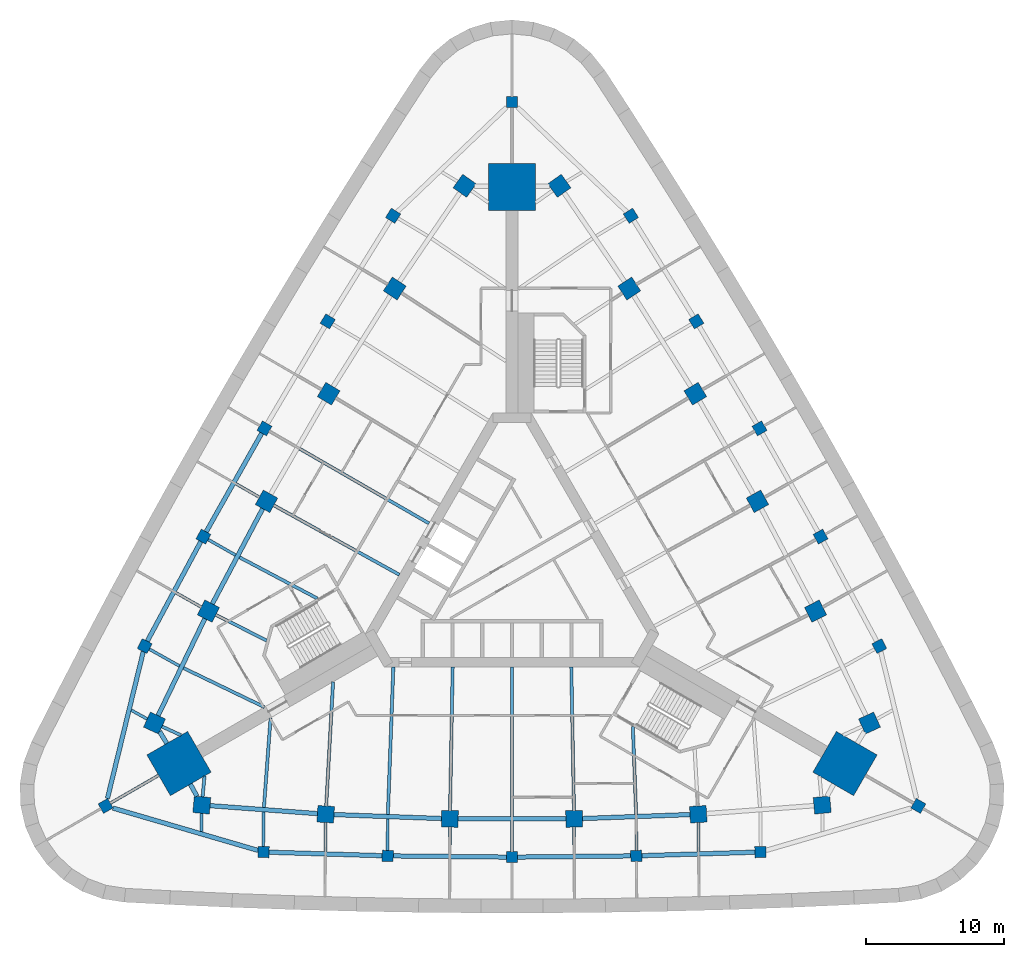
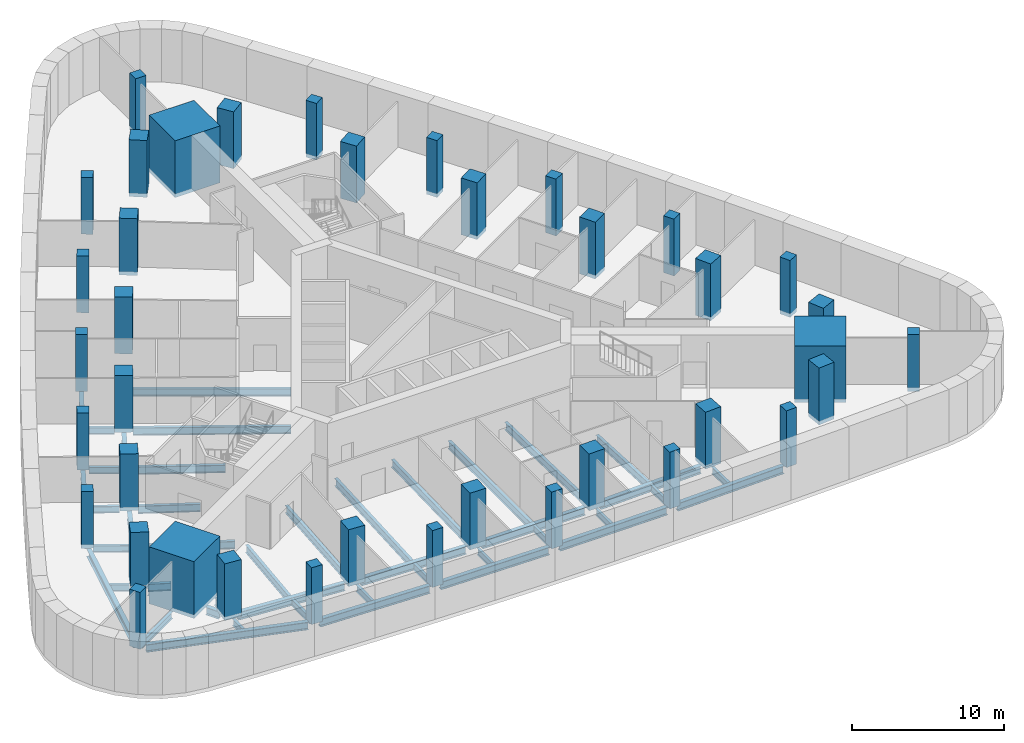
# One storey, part 1 of 9: 45 beams, 39 columns.
"""IFC4 building model written with IfcOpenShell, lengths in metres."""

from ifc_helpers import new_model, si_unit, direction, frame, origin, origin_2d, place, context, subcontext, project, spatial, rectangle, i_section, extrude, material, material_profile, profile_set, type_object, element, save


model = new_model("IFC4")

# Units and contexts
model_context = context("Model", 3, precision=1e-05, world=origin(), true_north=direction((0.0, 1.0)))
body_context = subcontext(model_context, "Body", "Model", "MODEL_VIEW")
ifc_project = project(units=[si_unit("LENGTHUNIT", "METRE"), si_unit("AREAUNIT", "SQUARE_METRE"), si_unit("VOLUMEUNIT", "CUBIC_METRE"), si_unit("PLANEANGLEUNIT", "RADIAN"), si_unit("MASSUNIT", "GRAM", prefix="KILO")], contexts=[model_context])

# Site, building, storey
site_placement = place(None, origin())
site = spatial("IfcSite", under=ifc_project, at=site_placement, CompositionType="ELEMENT")
building_placement = place(site_placement, origin())
building = spatial("IfcBuilding", under=site, at=building_placement, Name="Noor Cloister Tower", CompositionType="ELEMENT")
storey_placement = place(building_placement, frame((0.0, 0.0, -4.5)))
storey = spatial("IfcBuildingStorey", under=building, at=storey_placement, Name="B1", CompositionType="ELEMENT", Elevation=-4.5)

# Columns
ifc_material_1 = material(Name="Concrete C80/95", Category="concrete")
ifc_material_profile_1 = material_profile(ifc_material_1, rectangle(XDim=3.39990234375, YDim=3.39990234375, at=origin_2d()), Name="RC 3400x3400")
ifc_profile_set_1 = profile_set([ifc_material_profile_1], Name="Concrete C80/95")
column_type_1 = type_object("IfcColumnType", Name="Corner pier 3400 x 3400 C80/95", PredefinedType="COLUMN", material=ifc_profile_set_1)
for number, where, z_axis, x_axis, name in (
    (1, (0.0, 27.7890625, -0.300048828125), (0.0, 0.0, 1.0), (0.0, 1.0, 0.0), "Corner pier N B1"),
    (2, (-24.06591796875, -13.89453125, -0.300048828125), (0.0, 0.0, 1.0), (-0.866025403784, -0.5, 0.0), "Corner pier SW B1"),
    (3, (24.06591796875, -13.89453125, -0.300048828125), (0.0, 0.0, 1.0), (0.866025403784, -0.5, 0.0), "Corner pier SE B1"),
):
    element("IfcColumn", number, at=place(storey_placement, frame(where, z_axis=z_axis, x_axis=x_axis)), inside=storey, type_object=column_type_1, Name=name, PredefinedType="COLUMN", context=body_context, shape_type="SweptSolid", body=[
        extrude(rectangle(XDim=3.39990234375, YDim=3.39990234375, at=origin_2d()), origin(), (0.0, 0.0, 1.0), 4.550048828125),
    ])
ifc_material_2 = material(Name="Concrete C80/95", Category="concrete")
ifc_material_profile_2 = material_profile(ifc_material_2, rectangle(XDim=1.199951171875, YDim=1.199951171875, at=origin_2d()), Name="Podium column 1200")
ifc_profile_set_2 = profile_set([ifc_material_profile_2], Name="Concrete C80/95")
column_type_2 = type_object("IfcColumnType", Name="Podium column 1200", PredefinedType="COLUMN", material=ifc_profile_set_2)
for number, where, z_axis, x_axis, name in (
    (4, (-3.421142578125, 27.85986328125, -0.300048828125), (0.0, 0.0, 1.0), (-0.815983256934, 0.578075535205, 0.0), "Column NW 00"),
    (5, (-8.474853515625, 20.43798828125, -0.300048828125), (0.0, 0.0, 1.0), (-0.836867705394, 0.547405191489, 0.0), "Column NW 02"),
    (6, (-13.249755859375, 12.833740234375, -0.300048828125), (0.0, 0.0, 1.0), (-0.856599929156, 0.515981163775, 0.0), "Column NW 04"),
    (7, (-17.7392578125, 5.0576171875, -0.300048828125), (0.0, 0.0, 1.0), (-0.875152760281, 0.483846717641, 0.0), "Column NW 06"),
    (8, (-21.937255859375, -2.879638671875, -0.300048828125), (0.0, 0.0, 1.0), (-0.89250065469, 0.451046096733, 0.0), "Column NW 08"),
    (9, (-25.837890625, -10.96728515625, -0.300048828125), (0.0, 0.0, 1.0), (-0.908619727261, 0.417624461966, 0.0), "Column NW 10"),
    (10, (-22.416748046875, -16.892578125, -0.300048828125), (0.0, 0.0, 1.0), (-0.092636470327, -0.995699997171, 0.0), "Column S 00"),
    (11, (-13.46240234375, -17.558349609375, -0.300048828125), (0.0, 0.0, 1.0), (-0.055632949296, -0.998451288222, 0.0), "Column S 02"),
    (12, (-4.489501953125, -17.8916015625, -0.300048828125), (0.0, 0.0, 1.0), (-0.018552831126, -0.999827881416, 0.0), "Column S 04"),
    (13, (4.489501953125, -17.8916015625, -0.300048828125), (0.0, 0.0, 1.0), (0.018552831126, -0.999827881416, 0.0), "Column S 06"),
    (14, (13.46240234375, -17.558349609375, -0.300048828125), (0.0, 0.0, 1.0), (0.055632949296, -0.998451288222, 0.0), "Column S 08"),
    (15, (22.416748046875, -16.892578125, -0.300048828125), (0.0, 0.0, 1.0), (0.092636470327, -0.995699997171, 0.0), "Column S 10"),
    (16, (25.837890625, -10.96728515625, -0.300048828125), (0.0, 0.0, 1.0), (0.908619727261, 0.417624461966, 0.0), "Column NE 00"),
    (17, (21.937255859375, -2.879638671875, -0.300048828125), (0.0, 0.0, 1.0), (0.89250065469, 0.451046096733, 0.0), "Column NE 02"),
    (18, (17.7392578125, 5.0576171875, -0.300048828125), (0.0, 0.0, 1.0), (0.875152760281, 0.483846717641, 0.0), "Column NE 04"),
    (19, (13.249755859375, 12.833740234375, -0.300048828125), (0.0, 0.0, 1.0), (0.856599929156, 0.515981163775, 0.0), "Column NE 06"),
    (20, (8.474853515625, 20.43798828125, -0.300048828125), (0.0, 0.0, 1.0), (0.836867705394, 0.547405191489, 0.0), "Column NE 08"),
    (21, (3.421142578125, 27.85986328125, -0.300048828125), (0.0, 0.0, 1.0), (0.815983256934, 0.578075535205, 0.0), "Column NE 10"),
):
    element("IfcColumn", number, at=place(storey_placement, frame(where, z_axis=z_axis, x_axis=x_axis)), inside=storey, type_object=column_type_2, Name=name, PredefinedType="COLUMN", context=body_context, shape_type="SweptSolid", body=[
        extrude(rectangle(XDim=1.199951171875, YDim=1.199951171875, at=origin_2d()), origin(), (0.0, 0.0, 1.0), 4.550048828125),
    ])
ifc_material_3 = material(Name="Concrete C60/75", Category="concrete")
ifc_material_profile_3 = material_profile(ifc_material_3, rectangle(XDim=0.800048828125, YDim=0.800048828125, at=origin_2d()), Name="Podium column 800")
ifc_profile_set_3 = profile_set([ifc_material_profile_3], Name="Concrete C60/75")
column_type_3 = type_object("IfcColumnType", Name="Podium column 800", PredefinedType="COLUMN", material=ifc_profile_set_3)
for number, where, z_axis, x_axis, name in (
    (22, (0.0, 33.9130859375, -0.300048828125), (0.0, 0.0, 1.0), (0.0, 1.0, 0.0), "Perimeter column N"),
    (23, (-8.59228515625, 25.694580078125, -0.300048828125), (0.0, 0.0, 1.0), (-0.844762079338, 0.535142064607, 0.0), "Perimeter column NW 01"),
    (24, (-13.31982421875, 18.059326171875, -0.300048828125), (0.0, 0.0, 1.0), (-0.855574189811, 0.517680215702, 0.0), "Perimeter column NW 03"),
    (25, (-17.8896484375, 10.32861328125, -0.300048828125), (0.0, 0.0, 1.0), (-0.866025403784, 0.5, 0.0), "Perimeter column NW 05"),
    (26, (-22.2998046875, 2.505615234375, -0.300048828125), (0.0, 0.0, 1.0), (-0.87611131274, 0.482108875348, 0.0), "Perimeter column NW 07"),
    (27, (-26.54833984375, -5.406005859375, -0.300048828125), (0.0, 0.0, 1.0), (-0.885827662253, 0.464014388557, 0.0), "Perimeter column NW 09"),
    (28, (-29.36962890625, -16.95654296875, -0.300048828125), (0.0, 0.0, 1.0), (-0.866025403784, -0.5, 0.0), "Perimeter column SW"),
    (29, (-17.955810546875, -20.288330078125, -0.300048828125), (0.0, 0.0, 1.0), (-0.041065582914, -0.999156453164, 0.0), "Perimeter column S 01"),
    (30, (-8.979736328125, -20.56494140625, -0.300048828125), (0.0, 0.0, 1.0), (-0.020537122929, -0.99978909105, 0.0), "Perimeter column S 03"),
    (31, (0.0, -20.6572265625, -0.300048828125), (0.0, 0.0, 1.0), (0.0, -1.0, 0.0), "Perimeter column S 05"),
    (32, (8.979736328125, -20.56494140625, -0.300048828125), (0.0, 0.0, 1.0), (0.020537122929, -0.99978909105, 0.0), "Perimeter column S 07"),
    (33, (17.955810546875, -20.288330078125, -0.300048828125), (0.0, 0.0, 1.0), (0.041065582914, -0.999156453164, 0.0), "Perimeter column S 09"),
    (34, (29.36962890625, -16.95654296875, -0.300048828125), (0.0, 0.0, 1.0), (0.866025403784, -0.5, 0.0), "Perimeter column SE"),
    (35, (26.54833984375, -5.406005859375, -0.300048828125), (0.0, 0.0, 1.0), (0.885827662253, 0.464014388557, 0.0), "Perimeter column NE 01"),
    (36, (22.2998046875, 2.505615234375, -0.300048828125), (0.0, 0.0, 1.0), (0.87611131274, 0.482108875348, 0.0), "Perimeter column NE 03"),
    (37, (17.8896484375, 10.32861328125, -0.300048828125), (0.0, 0.0, 1.0), (0.866025403784, 0.5, 0.0), "Perimeter column NE 05"),
    (38, (13.31982421875, 18.059326171875, -0.300048828125), (0.0, 0.0, 1.0), (0.855574189811, 0.517680215702, 0.0), "Perimeter column NE 07"),
    (39, (8.59228515625, 25.694580078125, -0.300048828125), (0.0, 0.0, 1.0), (0.844762079338, 0.535142064607, 0.0), "Perimeter column NE 09"),
):
    element("IfcColumn", number, at=place(storey_placement, frame(where, z_axis=z_axis, x_axis=x_axis)), inside=storey, type_object=column_type_3, Name=name, PredefinedType="COLUMN", context=body_context, shape_type="SweptSolid", body=[
        extrude(rectangle(XDim=0.800048828125, YDim=0.800048828125, at=origin_2d()), origin(), (0.0, 0.0, 1.0), 4.550048828125),
    ])

# Beams
ifc_material_4 = material(Name="Steel ASTM A992 Gr 50", Category="steel")
ifc_material_profile_4 = material_profile(ifc_material_4, i_section(OverallWidth=0.324951171875, OverallDepth=0.612060546875, WebThickness=0.0126953125, FlangeThickness=0.01904296875, FilletRadius=0.0126953125, at=origin_2d()), Name="W610x155")
ifc_profile_set_4 = profile_set([ifc_material_profile_4], Name="Steel ASTM A992 Gr 50")
beam_type_1 = type_object("IfcBeamType", Name="Podium column line beam W610x155", PredefinedType="BEAM", material=ifc_profile_set_4)
for number, where, z_axis, x_axis, name in (
    (40, (-18.019775390625, 4.527099609375, -0.60595703125), (-0.467547366886, -0.883968019624, 0.0), (0.883968019624, -0.467547366886, 0.0), "Podium column line beam NW 06 B1"),
    (41, (-22.197998046875, -3.420166015625, -0.60595703125), (-0.434400589533, -0.900719783181, 0.0), (0.900719783181, -0.434400589533, 0.0), "Podium column line beam NW 08 B1"),
):
    element("IfcBeam", number, at=place(storey_placement, frame(where, z_axis=z_axis, x_axis=x_axis)), inside=storey, type_object=beam_type_1, Name=name, PredefinedType="BEAM", context=body_context, shape_type="SweptSolid", body=[
        extrude(i_section(OverallWidth=0.324951171875, OverallDepth=0.612060546875, WebThickness=0.0126953125, FlangeThickness=0.01904296875, FilletRadius=0.0126953125, at=origin_2d()), origin(), (0.0, 0.0, 1.0), 7.77880859375),
    ])
for number, where, z_axis, x_axis, name in (
    (42, (-21.818359375, -16.93701171875, -0.60595703125), (0.997246218275, -0.074161850945, 0.0), (0.074161850945, 0.997246218275, 0.0), "Podium column line beam S 00 B1"),
    (43, (-12.86279296875, -17.58056640625, -0.60595703125), (0.999311691731, -0.037096398343, 0.0), (0.037096398343, 0.999311691731, 0.0), "Podium column line beam S 02 B1"),
):
    element("IfcBeam", number, at=place(storey_placement, frame(where, z_axis=z_axis, x_axis=x_axis)), inside=storey, type_object=beam_type_1, Name=name, PredefinedType="BEAM", context=body_context, shape_type="SweptSolid", body=[
        extrude(i_section(OverallWidth=0.324951171875, OverallDepth=0.612060546875, WebThickness=0.0126953125, FlangeThickness=0.01904296875, FilletRadius=0.0126953125, at=origin_2d()), origin(), (0.0, 0.0, 1.0), 7.779052734375),
    ])
beam_1_placement = place(storey_placement, frame((-3.889404296875, -17.8916015625, -0.60595703125), z_axis=(1.0, 0.0, 0.0), x_axis=(0.0, 1.0, 0.0)))
element("IfcBeam", 44, at=beam_1_placement, inside=storey, type_object=beam_type_1, Name="Podium column line beam S 04 B1", PredefinedType="BEAM", context=body_context, shape_type="SweptSolid", body=[
    extrude(i_section(OverallWidth=0.324951171875, OverallDepth=0.612060546875, WebThickness=0.0126953125, FlangeThickness=0.01904296875, FilletRadius=0.0126953125, at=origin_2d()), origin(), (0.0, 0.0, 1.0), 7.77880859375),
])
beam_2_placement = place(storey_placement, frame((5.089111328125, -17.869140625, -0.60595703125), z_axis=(0.999311691731, 0.037096398343, 0.0), x_axis=(-0.037096398343, 0.999311691731, 0.0)))
element("IfcBeam", 45, at=beam_2_placement, inside=storey, type_object=beam_type_1, Name="Podium column line beam S 06 B1", PredefinedType="BEAM", context=body_context, shape_type="SweptSolid", body=[
    extrude(i_section(OverallWidth=0.324951171875, OverallDepth=0.612060546875, WebThickness=0.0126953125, FlangeThickness=0.01904296875, FilletRadius=0.0126953125, at=origin_2d()), origin(), (0.0, 0.0, 1.0), 7.779052734375),
])
for number, where, z_axis, x_axis, name in (
    (46, (-25.46240234375, -11.58740234375, -0.60595703125), (0.517698861359, -0.855562907651, 0.0), (0.855562907651, 0.517698861359, 0.0), "Podium end beam NW 10 B1"),
    (47, (-22.76611328125, -16.257568359375, -0.60595703125), (-0.48185292196, 0.876252110753, 0.0), (-0.876252110753, -0.48185292196, 0.0), "Podium end beam S 00 B1"),
):
    element("IfcBeam", number, at=place(storey_placement, frame(where, z_axis=z_axis, x_axis=x_axis)), inside=storey, type_object=beam_type_1, Name=name, PredefinedType="BEAM", context=body_context, shape_type="SweptSolid", body=[
        extrude(i_section(OverallWidth=0.324951171875, OverallDepth=0.612060546875, WebThickness=0.0126953125, FlangeThickness=0.01904296875, FilletRadius=0.0126953125, at=origin_2d()), origin(), (0.0, 0.0, 1.0), 0.99658203125),
    ])
ifc_material_5 = material(Name="Steel ASTM A992 Gr 50", Category="steel")
ifc_material_profile_5 = material_profile(ifc_material_5, i_section(OverallWidth=0.324951171875, OverallDepth=0.616943359375, WebThickness=0.013916015625, FlangeThickness=0.021484375, FilletRadius=0.0126953125, at=origin_2d()), Name="W610x174")
ifc_profile_set_5 = profile_set([ifc_material_profile_5], Name="Steel ASTM A992 Gr 50")
beam_type_2 = type_object("IfcBeamType", Name="Podium perimeter beam W610x174", PredefinedType="BEAM", material=ifc_profile_set_5)
for number, where, z_axis, x_axis, name in (
    (48, (-18.086181640625, 9.980224609375, -0.6083984375), (-0.491071539523, -0.871119247331, 0.0), (0.871119247331, -0.491071539523, 0.0), "Podium perimeter beam 04 B1"),
    (49, (-22.489013671875, 2.1533203125, -0.6083984375), (-0.47307258725, -0.881023454394, 0.0), (0.881023454394, -0.47307258725, 0.0), "Podium perimeter beam 05 B1"),
):
    element("IfcBeam", number, at=place(storey_placement, frame(where, z_axis=z_axis, x_axis=x_axis)), inside=storey, type_object=beam_type_2, Name=name, PredefinedType="BEAM", context=body_context, shape_type="SweptSolid", body=[
        extrude(i_section(OverallWidth=0.324951171875, OverallDepth=0.616943359375, WebThickness=0.013916015625, FlangeThickness=0.021484375, FilletRadius=0.0126953125, at=origin_2d()), origin(), (0.0, 0.0, 1.0), 8.18017578125),
    ])
for number, where, z_axis, x_axis, name in (
    (50, (-26.64599609375, -5.806396484375, -0.6083984375), (-0.237289539542, -0.971438971024, 0.0), (0.971438971024, -0.237289539542, 0.0), "Podium perimeter beam 06 B1"),
    (51, (-28.83837890625, -17.111572265625, -0.6083984375), (0.959935397728, -0.280221398522, 0.0), (0.280221398522, 0.959935397728, 0.0), "Podium perimeter beam 07 B1"),
):
    element("IfcBeam", number, at=place(storey_placement, frame(where, z_axis=z_axis, x_axis=x_axis)), inside=storey, type_object=beam_type_2, Name=name, PredefinedType="BEAM", context=body_context, shape_type="SweptSolid", body=[
        extrude(i_section(OverallWidth=0.324951171875, OverallDepth=0.616943359375, WebThickness=0.013916015625, FlangeThickness=0.021484375, FilletRadius=0.0126953125, at=origin_2d()), origin(), (0.0, 0.0, 1.0), 10.924560546875),
    ])
for number, where, z_axis, x_axis, name in (
    (52, (-17.55615234375, -20.30078125, -0.6083984375), (0.999525578868, -0.030799629673, 0.0), (0.030799629673, 0.999525578868, 0.0), "Podium perimeter beam 08 B1"),
    (53, (-8.579833984375, -20.569091796875, -0.6083984375), (0.999947297246, -0.010266583204, 0.0), (0.010266583204, 0.999947297246, 0.0), "Podium perimeter beam 09 B1"),
    (54, (0.39990234375, -20.653076171875, -0.6083984375), (0.999947297246, 0.010266583204, 0.0), (-0.010266583204, 0.999947297246, 0.0), "Podium perimeter beam 10 B1"),
    (55, (9.379638671875, -20.552734375, -0.6083984375), (0.999525578868, 0.030799629673, 0.0), (-0.030799629673, 0.999525578868, 0.0), "Podium perimeter beam 11 B1"),
):
    element("IfcBeam", number, at=place(storey_placement, frame(where, z_axis=z_axis, x_axis=x_axis)), inside=storey, type_object=beam_type_2, Name=name, PredefinedType="BEAM", context=body_context, shape_type="SweptSolid", body=[
        extrude(i_section(OverallWidth=0.324951171875, OverallDepth=0.616943359375, WebThickness=0.013916015625, FlangeThickness=0.021484375, FilletRadius=0.0126953125, at=origin_2d()), origin(), (0.0, 0.0, 1.0), 8.180419921875),
    ])
ifc_material_6 = material(Name="Steel ASTM A992 Gr 50", Category="steel")
ifc_material_profile_6 = material_profile(ifc_material_6, i_section(OverallWidth=0.22900390625, OverallDepth=0.612060546875, WebThickness=0.011962890625, FlangeThickness=0.01953125, FilletRadius=0.0126953125, at=origin_2d()), Name="W610x125")
ifc_profile_set_6 = profile_set([ifc_material_profile_6], Name="Steel ASTM A992 Gr 50")
beam_type_3 = type_object("IfcBeamType", Name="Podium radial beam W610x125", PredefinedType="BEAM", material=ifc_profile_set_6)
beam_3_placement = place(storey_placement, frame((-15.353759765625, 8.864501953125, -0.60595703125), z_axis=(0.866025607992, -0.499999646302, 0.0), x_axis=(0.499999646302, 0.866025607992, 0.0)))
element("IfcBeam", 56, at=beam_3_placement, inside=storey, type_object=beam_type_3, Name="Podium radial beam NW 05 B1", PredefinedType="BEAM", context=body_context, shape_type="SweptSolid", body=[
    extrude(i_section(OverallWidth=0.22900390625, OverallDepth=0.612060546875, WebThickness=0.011962890625, FlangeThickness=0.01953125, FilletRadius=0.0126953125, at=origin_2d()), origin(), (0.0, 0.0, 1.0), 10.80078125),
])
beam_4_placement = place(storey_placement, frame((-17.214111328125, 4.767333984375, -0.60595703125), z_axis=(0.875152039929, -0.483848020568, 0.0), x_axis=(0.483848020568, 0.875152039929, 0.0)))
element("IfcBeam", 57, at=beam_4_placement, inside=storey, type_object=beam_type_3, Name="Podium radial beam NW 06 B1", PredefinedType="BEAM", context=body_context, shape_type="SweptSolid", body=[
    extrude(i_section(OverallWidth=0.22900390625, OverallDepth=0.612060546875, WebThickness=0.011962890625, FlangeThickness=0.01953125, FilletRadius=0.0126953125, at=origin_2d()), origin(), (0.0, 0.0, 1.0), 10.364990234375),
])
beam_5_placement = place(storey_placement, frame((-19.694580078125, 1.01318359375, -0.60595703125), z_axis=(0.883972630555, -0.467538649129, 0.0), x_axis=(0.467538649129, 0.883972630555, 0.0)))
element("IfcBeam", 58, at=beam_5_placement, inside=storey, type_object=beam_type_3, Name="Podium radial beam NW 07 B1", PredefinedType="BEAM", context=body_context, shape_type="SweptSolid", body=[
    extrude(i_section(OverallWidth=0.22900390625, OverallDepth=0.612060546875, WebThickness=0.011962890625, FlangeThickness=0.01953125, FilletRadius=0.0126953125, at=origin_2d()), origin(), (0.0, 0.0, 1.0), 6.36328125),
])
beam_6_placement = place(storey_placement, frame((-21.401611328125, -3.150146484375, -0.60595703125), z_axis=(0.892482631296, -0.451081758481, 0.0), x_axis=(0.451081758481, 0.892482631296, 0.0)))
element("IfcBeam", 59, at=beam_6_placement, inside=storey, type_object=beam_type_3, Name="Podium radial beam NW 08 B1", PredefinedType="BEAM", context=body_context, shape_type="SweptSolid", body=[
    extrude(i_section(OverallWidth=0.22900390625, OverallDepth=0.612060546875, WebThickness=0.011962890625, FlangeThickness=0.01953125, FilletRadius=0.0126953125, at=origin_2d()), origin(), (0.0, 0.0, 1.0), 4.110595703125),
])
beam_7_placement = place(storey_placement, frame((-23.7412109375, -6.993896484375, -0.60595703125), z_axis=(0.900702438264, -0.43443655199, 0.0), x_axis=(0.43443655199, 0.900702438264, 0.0)))
element("IfcBeam", 60, at=beam_7_placement, inside=storey, type_object=beam_type_3, Name="Podium radial beam NW 09 B1", PredefinedType="BEAM", context=body_context, shape_type="SweptSolid", body=[
    extrude(i_section(OverallWidth=0.22900390625, OverallDepth=0.612060546875, WebThickness=0.011962890625, FlangeThickness=0.01953125, FilletRadius=0.0126953125, at=origin_2d()), origin(), (0.0, 0.0, 1.0), 6.489013671875),
])
for number, where, z_axis, x_axis, name in (
    (61, (-25.292724609375, -11.2177734375, -0.60595703125), (0.908602193803, -0.417662607157, 0.0), (0.417662607157, 0.908602193803, 0.0), "Podium radial beam NW 10 B1"),
    (62, (-22.361328125, -16.295166015625, -0.60595703125), (0.09269423525, 0.995694621233, 0.0), (-0.995694621233, 0.09269423525, 0.0), "Podium radial beam S 00 B1"),
):
    element("IfcBeam", number, at=place(storey_placement, frame(where, z_axis=z_axis, x_axis=x_axis)), inside=storey, type_object=beam_type_3, Name=name, PredefinedType="BEAM", context=body_context, shape_type="SweptSolid", body=[
        extrude(i_section(OverallWidth=0.22900390625, OverallDepth=0.612060546875, WebThickness=0.011962890625, FlangeThickness=0.01953125, FilletRadius=0.0126953125, at=origin_2d()), origin(), (0.0, 0.0, 1.0), 1.50927734375),
    ])
beam_8_placement = place(storey_placement, frame((-17.927490234375, -17.0634765625, -0.60595703125), z_axis=(0.074118366359, 0.997249451125, 0.0), x_axis=(-0.997249451125, 0.074118366359, 0.0)))
element("IfcBeam", 63, at=beam_8_placement, inside=storey, type_object=beam_type_3, Name="Podium radial beam S 01 B1", PredefinedType="BEAM", context=body_context, shape_type="SweptSolid", body=[
    extrude(i_section(OverallWidth=0.22900390625, OverallDepth=0.612060546875, WebThickness=0.011962890625, FlangeThickness=0.01953125, FilletRadius=0.0126953125, at=origin_2d()), origin(), (0.0, 0.0, 1.0), 6.489013671875),
])
beam_9_placement = place(storey_placement, frame((-13.428955078125, -16.959228515625, -0.60595703125), z_axis=(0.055623451445, 0.99845181739, 0.0), x_axis=(-0.99845181739, 0.055623451445, 0.0)))
element("IfcBeam", 64, at=beam_9_placement, inside=storey, type_object=beam_type_3, Name="Podium radial beam S 02 B1", PredefinedType="BEAM", context=body_context, shape_type="SweptSolid", body=[
    extrude(i_section(OverallWidth=0.22900390625, OverallDepth=0.612060546875, WebThickness=0.011962890625, FlangeThickness=0.01953125, FilletRadius=0.0126953125, at=origin_2d()), origin(), (0.0, 0.0, 1.0), 8.989013671875),
])
beam_10_placement = place(storey_placement, frame((-8.969970703125, -17.5625, -0.60595703125), z_axis=(0.037097363231, 0.999311655912, 0.0), x_axis=(-0.999311655912, 0.037097363231, 0.0)))
element("IfcBeam", 65, at=beam_10_placement, inside=storey, type_object=beam_type_3, Name="Podium radial beam S 03 B1", PredefinedType="BEAM", context=body_context, shape_type="SweptSolid", body=[
    extrude(i_section(OverallWidth=0.22900390625, OverallDepth=0.612060546875, WebThickness=0.011962890625, FlangeThickness=0.01953125, FilletRadius=0.0126953125, at=origin_2d()), origin(), (0.0, 0.0, 1.0), 10.6416015625),
])
beam_11_placement = place(storey_placement, frame((-4.478515625, -17.29150390625, -0.60595703125), z_axis=(0.018560692037, 0.999827735518, 0.0), x_axis=(-0.999827735518, 0.018560692037, 0.0)))
element("IfcBeam", 66, at=beam_11_placement, inside=storey, type_object=beam_type_3, Name="Podium radial beam S 04 B1", PredefinedType="BEAM", context=body_context, shape_type="SweptSolid", body=[
    extrude(i_section(OverallWidth=0.22900390625, OverallDepth=0.612060546875, WebThickness=0.011962890625, FlangeThickness=0.01953125, FilletRadius=0.0126953125, at=origin_2d()), origin(), (0.0, 0.0, 1.0), 10.364990234375),
])
beam_12_placement = place(storey_placement, frame((0.0, -17.72900390625, -0.60595703125), z_axis=(0.0, 1.0, 0.0), x_axis=(-1.0, 0.0, 0.0)))
element("IfcBeam", 67, at=beam_12_placement, inside=storey, type_object=beam_type_3, Name="Podium radial beam S 05 B1", PredefinedType="BEAM", context=body_context, shape_type="SweptSolid", body=[
    extrude(i_section(OverallWidth=0.22900390625, OverallDepth=0.612060546875, WebThickness=0.011962890625, FlangeThickness=0.01953125, FilletRadius=0.0126953125, at=origin_2d()), origin(), (0.0, 0.0, 1.0), 10.80078125),
])
beam_13_placement = place(storey_placement, frame((4.478515625, -17.29150390625, -0.60595703125), z_axis=(-0.018560692037, 0.999827735518, 0.0), x_axis=(-0.999827735518, -0.018560692037, 0.0)))
element("IfcBeam", 68, at=beam_13_placement, inside=storey, type_object=beam_type_3, Name="Podium radial beam S 06 B1", PredefinedType="BEAM", context=body_context, shape_type="SweptSolid", body=[
    extrude(i_section(OverallWidth=0.22900390625, OverallDepth=0.612060546875, WebThickness=0.011962890625, FlangeThickness=0.01953125, FilletRadius=0.0126953125, at=origin_2d()), origin(), (0.0, 0.0, 1.0), 10.364990234375),
])
beam_14_placement = place(storey_placement, frame((8.969970703125, -17.5625, -0.60595703125), z_axis=(-0.037101061142, 0.999311518628, 0.0), x_axis=(-0.999311518628, -0.037101061142, 0.0)))
element("IfcBeam", 69, at=beam_14_placement, inside=storey, type_object=beam_type_3, Name="Podium radial beam S 07 B1", PredefinedType="BEAM", context=body_context, shape_type="SweptSolid", body=[
    extrude(i_section(OverallWidth=0.22900390625, OverallDepth=0.612060546875, WebThickness=0.011962890625, FlangeThickness=0.01953125, FilletRadius=0.0126953125, at=origin_2d()), origin(), (0.0, 0.0, 1.0), 6.36328125),
])
ifc_material_7 = material(Name="Steel ASTM A992 Gr 50", Category="steel")
ifc_material_profile_7 = material_profile(ifc_material_7, i_section(OverallWidth=0.208984375, OverallDepth=0.532958984375, WebThickness=0.01025390625, FlangeThickness=0.015625, FilletRadius=0.0126953125, at=origin_2d()), Name="W530x92")
ifc_profile_set_7 = profile_set([ifc_material_profile_7], Name="Steel ASTM A992 Gr 50")
beam_type_4 = type_object("IfcBeamType", Name="Podium stub beam W530x92", PredefinedType="BEAM", material=ifc_profile_set_7)
beam_15_placement = place(storey_placement, frame((-18.259765625, 5.356201171875, -0.56640625), z_axis=(-0.867389720101, 0.497629453974, 0.0), x_axis=(-0.497629453974, -0.867389720101, 0.0)))
element("IfcBeam", 70, at=beam_15_placement, inside=storey, type_object=beam_type_4, Name="Podium stub beam NW 06 B1", PredefinedType="BEAM", context=body_context, shape_type="SweptSolid", body=[
    extrude(i_section(OverallWidth=0.208984375, OverallDepth=0.532958984375, WebThickness=0.01025390625, FlangeThickness=0.015625, FilletRadius=0.0126953125, at=origin_2d()), origin(), (0.0, 0.0, 1.0), 1.95703125),
])
beam_16_placement = place(storey_placement, frame((-19.980224609375, 1.16845703125, -0.56640625), z_axis=(-0.868954795395, 0.494891466446, 0.0), x_axis=(-0.494891466446, -0.868954795395, 0.0)))
element("IfcBeam", 71, at=beam_16_placement, inside=storey, type_object=beam_type_4, Name="Podium stub beam NW 07 B1", PredefinedType="BEAM", context=body_context, shape_type="SweptSolid", body=[
    extrude(i_section(OverallWidth=0.208984375, OverallDepth=0.532958984375, WebThickness=0.01025390625, FlangeThickness=0.015625, FilletRadius=0.0126953125, at=origin_2d()), origin(), (0.0, 0.0, 1.0), 2.277099609375),
])
beam_17_placement = place(storey_placement, frame((-22.460205078125, -2.583984375, -0.56640625), z_axis=(-0.870610366402, 0.491973159748, 0.0), x_axis=(-0.491973159748, -0.870610366402, 0.0)))
element("IfcBeam", 72, at=beam_17_placement, inside=storey, type_object=beam_type_4, Name="Podium stub beam NW 08 B1", PredefinedType="BEAM", context=body_context, shape_type="SweptSolid", body=[
    extrude(i_section(OverallWidth=0.208984375, OverallDepth=0.532958984375, WebThickness=0.01025390625, FlangeThickness=0.015625, FilletRadius=0.0126953125, at=origin_2d()), origin(), (0.0, 0.0, 1.0), 2.1044921875),
])
beam_18_placement = place(storey_placement, frame((-24.03076171875, -6.84619140625, -0.56640625), z_axis=(-0.872502684482, 0.488609317933, 0.0), x_axis=(-0.488609317933, -0.872502684482, 0.0)))
element("IfcBeam", 73, at=beam_18_placement, inside=storey, type_object=beam_type_4, Name="Podium stub beam NW 09 B1", PredefinedType="BEAM", context=body_context, shape_type="SweptSolid", body=[
    extrude(i_section(OverallWidth=0.208984375, OverallDepth=0.532958984375, WebThickness=0.01025390625, FlangeThickness=0.015625, FilletRadius=0.0126953125, at=origin_2d()), origin(), (0.0, 0.0, 1.0), 2.499267578125),
])
beam_19_placement = place(storey_placement, frame((-26.3642578125, -10.675537109375, -0.56640625), z_axis=(-0.874735573686, 0.484600532531, 0.0), x_axis=(-0.484600532531, -0.874735573686, 0.0)))
element("IfcBeam", 74, at=beam_19_placement, inside=storey, type_object=beam_type_4, Name="Podium stub beam NW 10 B1", PredefinedType="BEAM", context=body_context, shape_type="SweptSolid", body=[
    extrude(i_section(OverallWidth=0.208984375, OverallDepth=0.532958984375, WebThickness=0.01025390625, FlangeThickness=0.015625, FilletRadius=0.0126953125, at=origin_2d()), origin(), (0.0, 0.0, 1.0), 1.31298828125),
])
beam_20_placement = place(storey_placement, frame((-22.427490234375, -17.494140625, -0.56640625), z_axis=(-0.017661803966, -0.999844018175, 0.0), x_axis=(0.999844018175, -0.017661803966, 0.0)))
element("IfcBeam", 75, at=beam_20_placement, inside=storey, type_object=beam_type_4, Name="Podium stub beam S 00 B1", PredefinedType="BEAM", context=body_context, shape_type="SweptSolid", body=[
    extrude(i_section(OverallWidth=0.208984375, OverallDepth=0.532958984375, WebThickness=0.01025390625, FlangeThickness=0.015625, FilletRadius=0.0126953125, at=origin_2d()), origin(), (0.0, 0.0, 1.0), 1.313232421875),
])
beam_21_placement = place(storey_placement, frame((-17.9443359375, -17.38818359375, -0.56640625), z_axis=(-0.013089929593, -0.999914323201, 0.0), x_axis=(0.999914323201, -0.013089929593, 0.0)))
element("IfcBeam", 76, at=beam_21_placement, inside=storey, type_object=beam_type_4, Name="Podium stub beam S 01 B1", PredefinedType="BEAM", context=body_context, shape_type="SweptSolid", body=[
    extrude(i_section(OverallWidth=0.208984375, OverallDepth=0.532958984375, WebThickness=0.01025390625, FlangeThickness=0.015625, FilletRadius=0.0126953125, at=origin_2d()), origin(), (0.0, 0.0, 1.0), 2.499267578125),
])
beam_22_placement = place(storey_placement, frame((-13.468017578125, -18.158935546875, -0.56640625), z_axis=(-0.009163285382, -0.999958016219, 0.0), x_axis=(0.999958016219, -0.009163285382, 0.0)))
element("IfcBeam", 77, at=beam_22_placement, inside=storey, type_object=beam_type_4, Name="Podium stub beam S 02 B1", PredefinedType="BEAM", context=body_context, shape_type="SweptSolid", body=[
    extrude(i_section(OverallWidth=0.208984375, OverallDepth=0.532958984375, WebThickness=0.01025390625, FlangeThickness=0.015625, FilletRadius=0.0126953125, at=origin_2d()), origin(), (0.0, 0.0, 1.0), 2.104736328125),
])
beam_23_placement = place(storey_placement, frame((-8.978271484375, -17.887451171875, -0.56640625), z_axis=(-0.005788925298, -0.999983244032, 0.0), x_axis=(0.999983244032, -0.005788925298, 0.0)))
element("IfcBeam", 78, at=beam_23_placement, inside=storey, type_object=beam_type_4, Name="Podium stub beam S 03 B1", PredefinedType="BEAM", context=body_context, shape_type="SweptSolid", body=[
    extrude(i_section(OverallWidth=0.208984375, OverallDepth=0.532958984375, WebThickness=0.01025390625, FlangeThickness=0.015625, FilletRadius=0.0126953125, at=origin_2d()), origin(), (0.0, 0.0, 1.0), 2.27734375),
])
beam_24_placement = place(storey_placement, frame((-4.4912109375, -18.49169921875, -0.56640625), z_axis=(-0.002869607648, -0.999995882667, 0.0), x_axis=(0.999995882667, -0.002869607648, 0.0)))
element("IfcBeam", 79, at=beam_24_placement, inside=storey, type_object=beam_type_4, Name="Podium stub beam S 04 B1", PredefinedType="BEAM", context=body_context, shape_type="SweptSolid", body=[
    extrude(i_section(OverallWidth=0.208984375, OverallDepth=0.532958984375, WebThickness=0.01025390625, FlangeThickness=0.015625, FilletRadius=0.0126953125, at=origin_2d()), origin(), (0.0, 0.0, 1.0), 1.956787109375),
])
beam_25_placement = place(storey_placement, frame((0.0, -18.053955078125, -0.56640625), z_axis=(0.0, -1.0, 0.0), x_axis=(1.0, 0.0, 0.0)))
element("IfcBeam", 80, at=beam_25_placement, inside=storey, type_object=beam_type_4, Name="Podium stub beam S 05 B1", PredefinedType="BEAM", context=body_context, shape_type="SweptSolid", body=[
    extrude(i_section(OverallWidth=0.208984375, OverallDepth=0.532958984375, WebThickness=0.01025390625, FlangeThickness=0.015625, FilletRadius=0.0126953125, at=origin_2d()), origin(), (0.0, 0.0, 1.0), 2.203369140625),
])
beam_26_placement = place(storey_placement, frame((4.4912109375, -18.49169921875, -0.56640625), z_axis=(0.002869607648, -0.999995882667, 0.0), x_axis=(0.999995882667, 0.002869607648, 0.0)))
element("IfcBeam", 81, at=beam_26_placement, inside=storey, type_object=beam_type_4, Name="Podium stub beam S 06 B1", PredefinedType="BEAM", context=body_context, shape_type="SweptSolid", body=[
    extrude(i_section(OverallWidth=0.208984375, OverallDepth=0.532958984375, WebThickness=0.01025390625, FlangeThickness=0.015625, FilletRadius=0.0126953125, at=origin_2d()), origin(), (0.0, 0.0, 1.0), 1.956787109375),
])
beam_27_placement = place(storey_placement, frame((8.978271484375, -17.887451171875, -0.56640625), z_axis=(0.005788925298, -0.999983244032, 0.0), x_axis=(0.999983244032, 0.005788925298, 0.0)))
element("IfcBeam", 82, at=beam_27_placement, inside=storey, type_object=beam_type_4, Name="Podium stub beam S 07 B1", PredefinedType="BEAM", context=body_context, shape_type="SweptSolid", body=[
    extrude(i_section(OverallWidth=0.208984375, OverallDepth=0.532958984375, WebThickness=0.01025390625, FlangeThickness=0.015625, FilletRadius=0.0126953125, at=origin_2d()), origin(), (0.0, 0.0, 1.0), 2.27734375),
])
beam_28_placement = place(storey_placement, frame((13.468017578125, -18.158935546875, -0.56640625), z_axis=(0.009163285382, -0.999958016219, 0.0), x_axis=(0.999958016219, 0.009163285382, 0.0)))
element("IfcBeam", 83, at=beam_28_placement, inside=storey, type_object=beam_type_4, Name="Podium stub beam S 08 B1", PredefinedType="BEAM", context=body_context, shape_type="SweptSolid", body=[
    extrude(i_section(OverallWidth=0.208984375, OverallDepth=0.532958984375, WebThickness=0.01025390625, FlangeThickness=0.015625, FilletRadius=0.0126953125, at=origin_2d()), origin(), (0.0, 0.0, 1.0), 2.104736328125),
])
beam_29_placement = place(storey_placement, frame((-25.538330078125, -14.744384765625, -0.56640625), z_axis=(-0.866001699761, -0.500041054325, 0.0), x_axis=(0.500041054325, -0.866001699761, 0.0)))
element("IfcBeam", 84, at=beam_29_placement, inside=storey, type_object=beam_type_4, Name="Podium corner stub beam SW B1", PredefinedType="BEAM", context=body_context, shape_type="SweptSolid", body=[
    extrude(i_section(OverallWidth=0.208984375, OverallDepth=0.532958984375, WebThickness=0.01025390625, FlangeThickness=0.015625, FilletRadius=0.0126953125, at=origin_2d()), origin(), (0.0, 0.0, 1.0), 4.024169921875),
])

save(model, "model.ifc")
